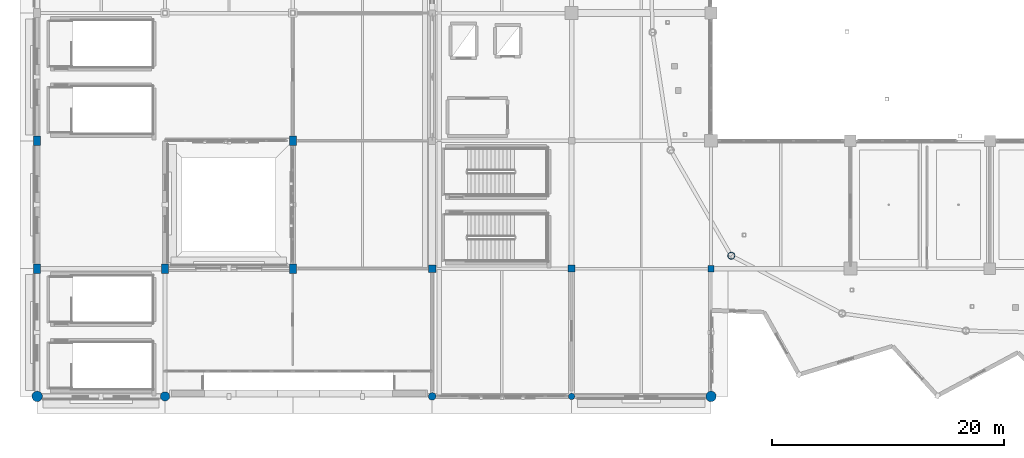
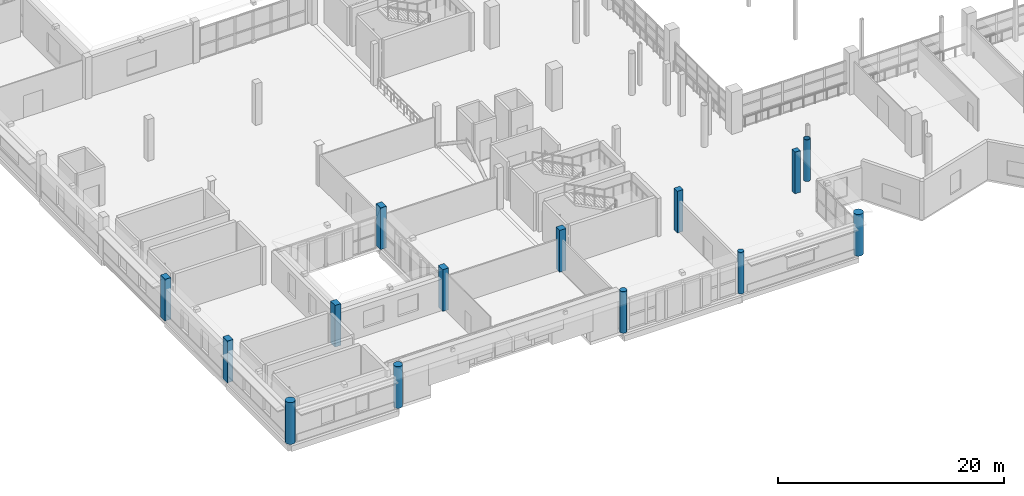
# One storey, part 1 of 118: 14 columns.
"""IFC4 building model written with IfcOpenShell, lengths in metres."""

from ifc_helpers import new_model, si_unit, direction, frame, origin, origin_2d, place, context, subcontext, project, spatial, rectangle, circle, hollow_circle, extrude, material, material_profile, profile_set, type_object, element, save


model = new_model("IFC4")

# Units and contexts
model_context = context("Model", 3, precision=1e-05, world=origin(), true_north=direction((0.0, 1.0)))
body_context = subcontext(model_context, "Body", "Model", "MODEL_VIEW")
ifc_project = project(units=[si_unit("LENGTHUNIT", "METRE"), si_unit("AREAUNIT", "SQUARE_METRE"), si_unit("VOLUMEUNIT", "CUBIC_METRE"), si_unit("PLANEANGLEUNIT", "RADIAN"), si_unit("MASSUNIT", "GRAM", prefix="KILO")], contexts=[model_context])

# Site, building, storey
site_placement = place(None, origin())
site = spatial("IfcSite", under=ifc_project, at=site_placement, CompositionType="ELEMENT")
building_placement = place(site_placement, origin())
building = spatial("IfcBuilding", under=site, at=building_placement, Name="Luwafu Chhajja Arena", CompositionType="ELEMENT")
storey_placement = place(building_placement, frame((0.0, 0.0, 10.199951171875)))
storey = spatial("IfcBuildingStorey", under=building, at=storey_placement, Name="L02", CompositionType="ELEMENT", Elevation=10.199951171875)

# Columns
ifc_material_1 = material(Name="Concrete C35/45", Category="concrete")
ifc_material_profile_1 = material_profile(ifc_material_1, circle(Radius=0.324951171875, at=origin_2d()), Name="RC COL D650")
ifc_profile_set_1 = profile_set([ifc_material_profile_1], Name="Concrete C35/45")
column_type_1 = type_object("IfcColumnType", Name="Courtyard Arcade Pier D650", PredefinedType="COLUMN", material=ifc_profile_set_1)
column_1_placement = place(storey_placement, frame((34.0, 0.0, 0.0), z_axis=(0.0, 0.0, 1.0), x_axis=(1.0, 0.0, 0.0)))
element("IfcColumn", 1, at=column_1_placement, inside=storey, type_object=column_type_1, Name="L02 Grid Column 4/A", PredefinedType="COLUMN", context=body_context, shape_type="SweptSolid", body=[
    extrude(circle(Radius=0.324951171875, at=origin_2d()), origin(), (0.0, 0.0, 1.0), 4.5),
])
ifc_material_2 = material(Name="Concrete C40/50", Category="concrete")
ifc_material_profile_2 = material_profile(ifc_material_2, circle(Radius=0.39990234375, at=origin_2d()), Name="RC COL D800")
ifc_profile_set_2 = profile_set([ifc_material_profile_2], Name="Concrete C40/50")
column_type_2 = type_object("IfcColumnType", Name="Foyer Rotunda Pier D800", PredefinedType="COLUMN", material=ifc_profile_set_2)
column_2_placement = place(storey_placement, frame((11.0, 0.0, 0.0), z_axis=(0.0, 0.0, 1.0), x_axis=(1.0, 0.0, 0.0)))
element("IfcColumn", 2, at=column_2_placement, inside=storey, type_object=column_type_2, Name="L02 Grid Column 2/A", PredefinedType="COLUMN", context=body_context, shape_type="SweptSolid", body=[
    extrude(circle(Radius=0.39990234375, at=origin_2d()), origin(), (0.0, 0.0, 1.0), 4.5),
])
ifc_material_profile_3 = material_profile(ifc_material_1, rectangle(XDim=0.550048828125, YDim=0.550048828125, at=origin_2d()), Name="RC 550x550")
ifc_profile_set_3 = profile_set([ifc_material_profile_3], Name="Concrete C35/45")
column_type_3 = type_object("IfcColumnType", Name="Gallery Column RC 550", PredefinedType="COLUMN", material=ifc_profile_set_3)
column_3_placement = place(storey_placement, frame((58.0, 11.0, 0.0), z_axis=(0.0, 0.0, 1.0), x_axis=(1.0, 0.0, 0.0)))
element("IfcColumn", 3, at=column_3_placement, inside=storey, type_object=column_type_3, Name="L02 Grid Column 6/B", PredefinedType="COLUMN", context=body_context, shape_type="SweptSolid", body=[
    extrude(rectangle(XDim=0.550048828125, YDim=0.550048828125, at=origin_2d()), origin(), (0.0, 0.0, 1.0), 4.5),
])
ifc_material_profile_4 = material_profile(ifc_material_1, rectangle(XDim=0.60009765625, YDim=0.60009765625, at=origin_2d()), Name="RC 600x600")
ifc_profile_set_4 = profile_set([ifc_material_profile_4], Name="Concrete C35/45")
column_type_4 = type_object("IfcColumnType", Name="Mezzanine Column RC 600", PredefinedType="COLUMN", material=ifc_profile_set_4)
column_4_placement = place(storey_placement, frame((46.0, 11.0, 0.0), z_axis=(0.0, 0.0, 1.0), x_axis=(1.0, 0.0, 0.0)))
element("IfcColumn", 4, at=column_4_placement, inside=storey, type_object=column_type_4, Name="L02 Grid Column 5/B", PredefinedType="COLUMN", context=body_context, shape_type="SweptSolid", body=[
    extrude(rectangle(XDim=0.60009765625, YDim=0.60009765625, at=origin_2d()), origin(), (0.0, 0.0, 1.0), 4.5),
])
ifc_material_profile_5 = material_profile(ifc_material_2, circle(Radius=0.449951171875, at=origin_2d()), Name="RC COL D900")
ifc_profile_set_5 = profile_set([ifc_material_profile_5], Name="Concrete C40/50")
column_type_5 = type_object("IfcColumnType", Name="Mughal Colonnade Drum Pier D900", PredefinedType="COLUMN", material=ifc_profile_set_5)
for number, where, z_axis, x_axis, name in (
    (5, (0.0, 0.0, 0.0), (0.0, 0.0, 1.0), (1.0, 0.0, 0.0), "L02 Grid Column 1/A"),
    (6, (58.0, 0.0, 0.0), (0.0, 0.0, 1.0), (1.0, 0.0, 0.0), "L02 Grid Column 6/A"),
):
    element("IfcColumn", number, at=place(storey_placement, frame(where, z_axis=z_axis, x_axis=x_axis)), inside=storey, type_object=column_type_5, Name=name, PredefinedType="COLUMN", context=body_context, shape_type="SweptSolid", body=[
        extrude(circle(Radius=0.449951171875, at=origin_2d()), origin(), (0.0, 0.0, 1.0), 4.5),
    ])
ifc_material_profile_6 = material_profile(ifc_material_2, rectangle(XDim=0.60009765625, YDim=0.800048828125, at=origin_2d()), Name="RC 600x800")
ifc_profile_set_6 = profile_set([ifc_material_profile_6], Name="Concrete C40/50")
column_type_6 = type_object("IfcColumnType", Name="Pishtaq Pier Column RC 600x800", PredefinedType="COLUMN", material=ifc_profile_set_6)
for number, where, z_axis, x_axis, name in (
    (7, (0.0, 11.0, 0.0), (0.0, 0.0, 1.0), (1.0, 0.0, 0.0), "L02 Grid Column 1/B"),
    (8, (0.0, 22.0, 0.0), (0.0, 0.0, 1.0), (1.0, 0.0, 0.0), "L02 Grid Column 1/C"),
    (9, (11.0, 11.0, 0.0), (0.0, 0.0, 1.0), (1.0, 0.0, 0.0), "L02 Grid Column 2/B"),
    (10, (22.0, 11.0, 0.0), (0.0, 0.0, 1.0), (1.0, 0.0, 0.0), "L02 Grid Column 3/B"),
    (11, (22.0, 22.0, 0.0), (0.0, 0.0, 1.0), (1.0, 0.0, 0.0), "L02 Grid Column 3/C"),
):
    element("IfcColumn", number, at=place(storey_placement, frame(where, z_axis=z_axis, x_axis=x_axis)), inside=storey, type_object=column_type_6, Name=name, PredefinedType="COLUMN", context=body_context, shape_type="SweptSolid", body=[
        extrude(rectangle(XDim=0.60009765625, YDim=0.800048828125, at=origin_2d()), origin(), (0.0, 0.0, 1.0), 4.5),
    ])
ifc_material_3 = material(Name="Steel S355", Category="steel")
ifc_material_profile_7 = material_profile(ifc_material_3, hollow_circle(Radius=0.304931640625, WallThickness=0.02490234375, at=origin_2d()), Name="CHS 610x25")
ifc_profile_set_7 = profile_set([ifc_material_profile_7], Name="Steel S355")
column_type_7 = type_object("IfcColumnType", Name="Steel Bowl Drum Column CHS 610", PredefinedType="COLUMN", material=ifc_profile_set_7)
column_5_placement = place(storey_placement, frame((59.743896484375, 12.109130859375, 0.0), z_axis=(0.0, 0.0, 1.0), x_axis=(1.0, 0.0, 0.0)))
element("IfcColumn", 12, at=column_5_placement, inside=storey, type_object=column_type_7, Name="L02 Bowl Drum Column D21", PredefinedType="COLUMN", context=body_context, shape_type="SweptSolid", body=[
    extrude(hollow_circle(Radius=0.304931640625, WallThickness=0.02490234375, at=origin_2d()), origin(), (0.0, 0.0, 1.0), 4.5),
])
ifc_material_profile_8 = material_profile(ifc_material_1, circle(Radius=0.27490234375, at=origin_2d()), Name="RC COL D550")
ifc_profile_set_8 = profile_set([ifc_material_profile_8], Name="Concrete C35/45")
column_type_8 = type_object("IfcColumnType", Name="Terrace Loggia Pier D550", PredefinedType="COLUMN", material=ifc_profile_set_8)
column_6_placement = place(storey_placement, frame((46.0, 0.0, 0.0), z_axis=(0.0, 0.0, 1.0), x_axis=(1.0, 0.0, 0.0)))
element("IfcColumn", 13, at=column_6_placement, inside=storey, type_object=column_type_8, Name="L02 Grid Column 5/A", PredefinedType="COLUMN", context=body_context, shape_type="SweptSolid", body=[
    extrude(circle(Radius=0.27490234375, at=origin_2d()), origin(), (0.0, 0.0, 1.0), 4.5),
])
ifc_material_profile_9 = material_profile(ifc_material_1, rectangle(XDim=0.64990234375, YDim=0.64990234375, at=origin_2d()), Name="RC 650x650")
ifc_profile_set_9 = profile_set([ifc_material_profile_9], Name="Concrete C35/45")
column_type_9 = type_object("IfcColumnType", Name="Upper Wing Column RC 650", PredefinedType="COLUMN", material=ifc_profile_set_9)
column_7_placement = place(storey_placement, frame((34.0, 11.0, 0.0), z_axis=(0.0, 0.0, 1.0), x_axis=(1.0, 0.0, 0.0)))
element("IfcColumn", 14, at=column_7_placement, inside=storey, type_object=column_type_9, Name="L02 Grid Column 4/B", PredefinedType="COLUMN", context=body_context, shape_type="SweptSolid", body=[
    extrude(rectangle(XDim=0.64990234375, YDim=0.64990234375, at=origin_2d()), origin(), (0.0, 0.0, 1.0), 4.5),
])

save(model, "model.ifc")
